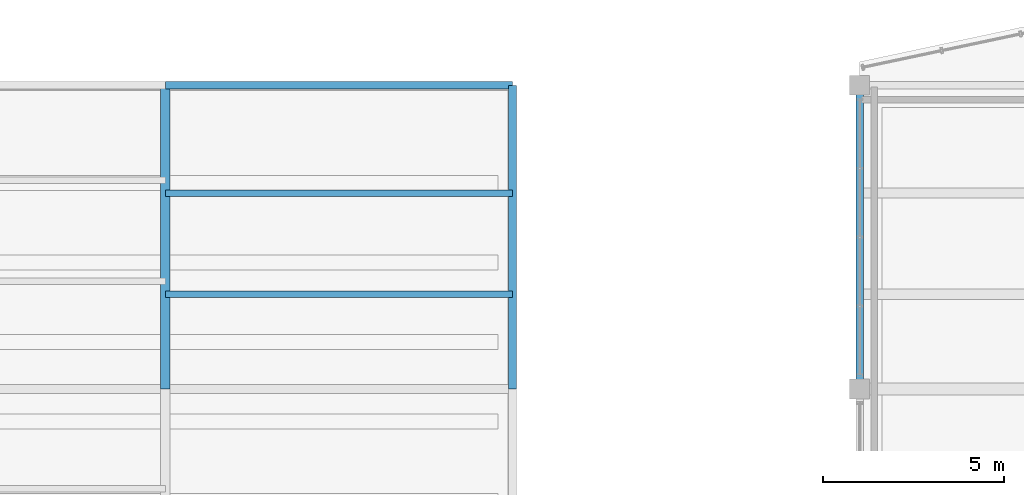
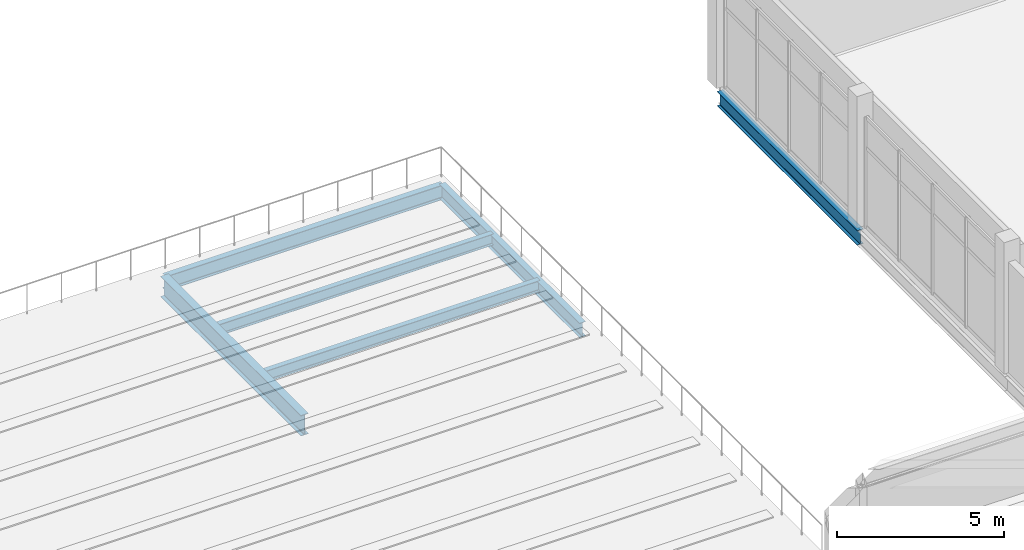
# One storey, part 76 of 157: 6 beams.
"""IFC4 building model written with IfcOpenShell, lengths in metres."""

from ifc_helpers import new_model, si_unit, direction, frame, origin, origin_2d, place, context, subcontext, project, spatial, i_section, extrude, material, material_profile, profile_set, type_object, element, save


model = new_model("IFC4")

# Units and contexts
model_context = context("Model", 3, precision=1e-05, world=origin(), true_north=direction((0.0, 1.0)))
body_context = subcontext(model_context, "Body", "Model", "MODEL_VIEW")
ifc_project = project(units=[si_unit("LENGTHUNIT", "METRE"), si_unit("AREAUNIT", "SQUARE_METRE"), si_unit("VOLUMEUNIT", "CUBIC_METRE"), si_unit("PLANEANGLEUNIT", "RADIAN"), si_unit("MASSUNIT", "GRAM", prefix="KILO")], contexts=[model_context])

# Site, building, storey
site_placement = place(None, origin())
site = spatial("IfcSite", under=ifc_project, at=site_placement, CompositionType="ELEMENT")
building_placement = place(site_placement, origin())
building = spatial("IfcBuilding", under=site, at=building_placement, Name="Chalmorin Arch Market", CompositionType="ELEMENT")
storey_placement = place(building_placement, frame((0.0, 0.0, 4.800048828125)))
storey = spatial("IfcBuildingStorey", under=building, at=storey_placement, Name="L01", CompositionType="ELEMENT", Elevation=4.800048828125)

# Beams
ifc_material = material(Name="Steel A992 Grade 50", Category="steel")
ifc_material_profile_1 = material_profile(ifc_material, i_section(OverallWidth=0.264892578125, OverallDepth=0.7529296875, WebThickness=0.01318359375, FlangeThickness=0.01708984375, FilletRadius=0.028076171875, at=origin_2d()), Name="W30X99")
ifc_profile_set_1 = profile_set([ifc_material_profile_1], Name="Steel A992 Grade 50")
beam_type_1 = type_object("IfcBeamType", Name="LongSpanGirder-W30X99", PredefinedType="BEAM", material=ifc_profile_set_1)
beam_1_placement = place(storey_placement, frame((28.800048828125, 109.60009765625, -0.718505859375), z_axis=(0.0, 1.0, 0.0), x_axis=(-1.0, 0.0, 0.0)))
element("IfcBeam", 1, at=beam_1_placement, inside=storey, type_object=beam_type_1, Name="BG-W30B-0746", PredefinedType="BEAM", context=body_context, shape_type="SweptSolid", body=[
    extrude(i_section(OverallWidth=0.264892578125, OverallDepth=0.7529296875, WebThickness=0.01318359375, FlangeThickness=0.01708984375, FilletRadius=0.028076171875, at=origin_2d()), origin(), (0.0, 0.0, 1.0), 8.39990234375),
])
ifc_material_profile_2 = material_profile(ifc_material, i_section(OverallWidth=0.208984375, OverallDepth=0.532958984375, WebThickness=0.01025390625, FlangeThickness=0.015625, FilletRadius=0.02197265625, at=origin_2d()), Name="W21X62")
ifc_profile_set_2 = profile_set([ifc_material_profile_2], Name="Steel A992 Grade 50")
beam_type_2 = type_object("IfcBeamType", Name="PerimeterSpandrelBeam-W21X62", PredefinedType="SPANDREL", material=ifc_profile_set_2)
beam_2_placement = place(storey_placement, frame((28.800048828125, 118.0, -0.608642578125), z_axis=(1.0, 0.0, 0.0), x_axis=(0.0, 1.0, 0.0)))
element("IfcBeam", 2, at=beam_2_placement, inside=storey, type_object=beam_type_2, Name="SP-W21-0756", PredefinedType="SPANDREL", context=body_context, shape_type="SweptSolid", body=[
    extrude(i_section(OverallWidth=0.208984375, OverallDepth=0.532958984375, WebThickness=0.01025390625, FlangeThickness=0.015625, FilletRadius=0.02197265625, at=origin_2d()), origin(), (0.0, 0.0, 1.0), 9.599853515625),
])
for number, where, z_axis, x_axis, name in (
    (3, (38.39990234375, 109.60009765625, -0.608642578125), (0.0, 1.0, 0.0), (-1.0, 0.0, 0.0), "SP-W21-0757"),
    (4, (48.0, 109.60009765625, -0.588623046875), (0.0, 1.0, 0.0), (-1.0, 0.0, 0.0), "SP-W21-0892"),
):
    element("IfcBeam", number, at=place(storey_placement, frame(where, z_axis=z_axis, x_axis=x_axis)), inside=storey, type_object=beam_type_2, Name=name, PredefinedType="SPANDREL", context=body_context, shape_type="SweptSolid", body=[
        extrude(i_section(OverallWidth=0.208984375, OverallDepth=0.532958984375, WebThickness=0.01025390625, FlangeThickness=0.015625, FilletRadius=0.02197265625, at=origin_2d()), origin(), (0.0, 0.0, 1.0), 8.39990234375),
    ])
ifc_material_profile_3 = material_profile(ifc_material, i_section(OverallWidth=0.178955078125, OverallDepth=0.409912109375, WebThickness=0.0087890625, FlangeThickness=0.014404296875, FilletRadius=0.01806640625, at=origin_2d()), Name="W16X45")
ifc_profile_set_3 = profile_set([ifc_material_profile_3], Name="Steel A992 Grade 50")
beam_type_3 = type_object("IfcBeamType", Name="SecondaryFloorJoist-W16X45", PredefinedType="JOIST", material=ifc_profile_set_3)
for number, where, z_axis, x_axis, name in (
    (5, (28.800048828125, 112.219970703125, -0.547119140625), (1.0, 0.0, 0.0), (0.0, 1.0, 0.0), "BJ-W16A-0796"),
    (6, (28.800048828125, 115.02001953125, -0.547119140625), (1.0, 0.0, 0.0), (0.0, 1.0, 0.0), "BJ-W16A-0797"),
):
    element("IfcBeam", number, at=place(storey_placement, frame(where, z_axis=z_axis, x_axis=x_axis)), inside=storey, type_object=beam_type_3, Name=name, PredefinedType="JOIST", context=body_context, shape_type="SweptSolid", body=[
        extrude(i_section(OverallWidth=0.178955078125, OverallDepth=0.409912109375, WebThickness=0.0087890625, FlangeThickness=0.014404296875, FilletRadius=0.01806640625, at=origin_2d()), origin(), (0.0, 0.0, 1.0), 9.599853515625),
    ])

save(model, "model.ifc")
